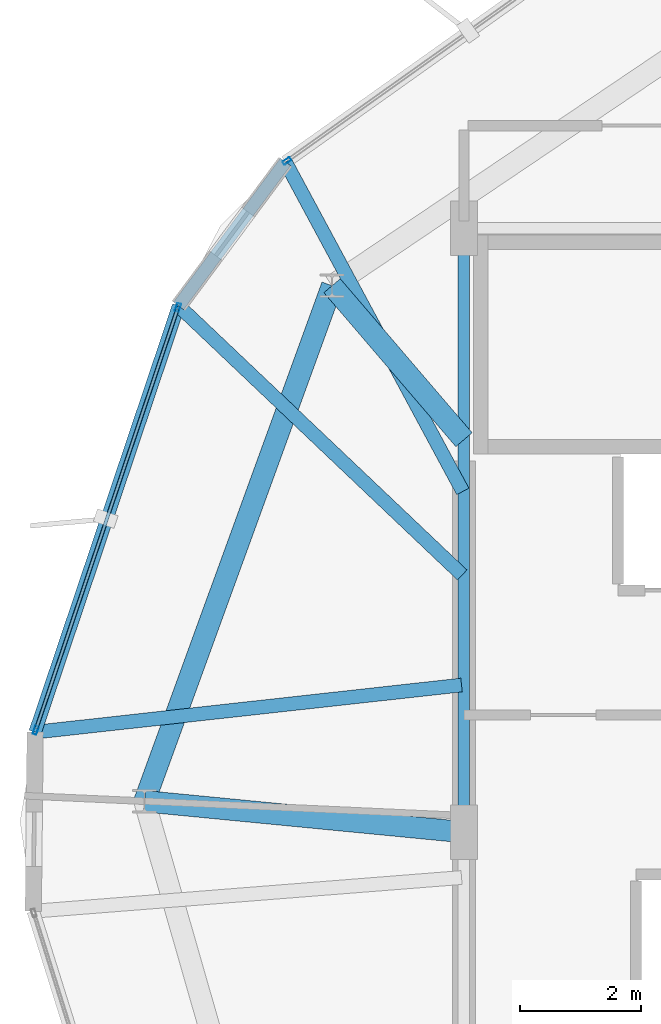
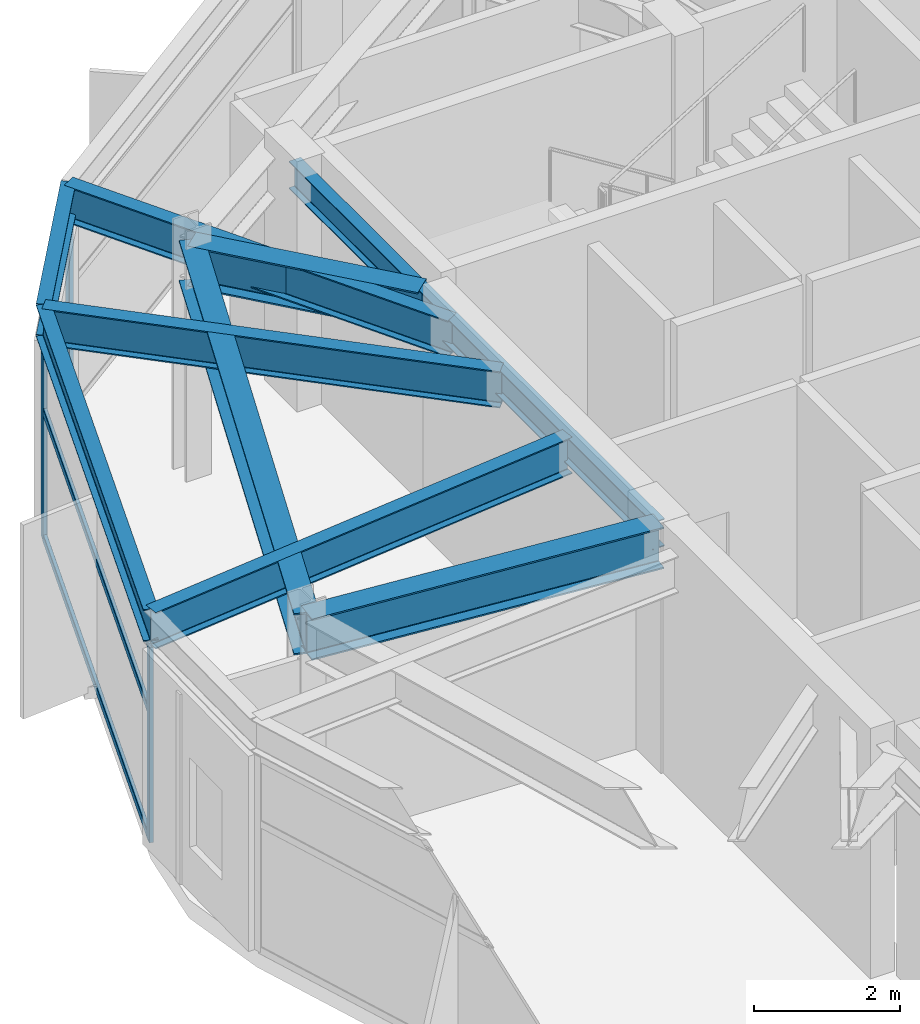
# One storey, part 8 of 19: 9 beams, 6 members, 2 elements without a shape of their own.
"""IFC4 building model written with IfcOpenShell, lengths in metres."""

from ifc_helpers import new_model, si_unit, direction, frame, origin, origin_2d, place, context, subcontext, project, spatial, hollow_rectangle, i_section, extrude, material, layer, layer_set, material_profile, profile_set, type_object, element, aggregate, save


model = new_model("IFC4")

# Units and contexts
model_context = context("Model", 3, precision=1e-05, world=origin(), true_north=direction((0.0, 1.0)))
body_context = subcontext(model_context, "Body", "Model", "MODEL_VIEW")
ifc_project = project(units=[si_unit("LENGTHUNIT", "METRE"), si_unit("AREAUNIT", "SQUARE_METRE"), si_unit("VOLUMEUNIT", "CUBIC_METRE"), si_unit("PLANEANGLEUNIT", "RADIAN"), si_unit("MASSUNIT", "GRAM", prefix="KILO")], contexts=[model_context])

# Site, building, storey
site_placement = place(None, origin())
site = spatial("IfcSite", under=ifc_project, at=site_placement, CompositionType="ELEMENT")
building_placement = place(site_placement, origin())
building = spatial("IfcBuilding", under=site, at=building_placement, Name="Soratama Intermodal Tower", CompositionType="ELEMENT")
storey_placement = place(building_placement, frame((0.0, 0.0, 297.25)))
storey = spatial("IfcBuildingStorey", under=building, at=storey_placement, Name="L75", CompositionType="ELEMENT", Elevation=297.25)

# Beams
ifc_material_1 = material(Name="Structural steel ASTM A992 Grade 50", Category="steel")
ifc_material_profile_1 = material_profile(ifc_material_1, i_section(OverallWidth=0.19091796875, OverallDepth=0.4599609375, WebThickness=0.010009765625, FlangeThickness=0.01611328125, FilletRadius=0.010986328125, at=origin_2d()), Name="W18X55")
ifc_profile_set_1 = profile_set([ifc_material_profile_1], Name="Structural steel ASTM A992 Grade 50")
beam_type_1 = type_object("IfcBeamType", Name="BM-FLR-W18X55", PredefinedType="BEAM", material=ifc_profile_set_1)
beam_1_placement = place(storey_placement, frame((32.60009765625, 35.0, 3.6650390625), z_axis=(0.0, -1.0, 0.0), x_axis=(1.0, 0.0, 0.0)))
element("IfcBeam", 1, at=beam_1_placement, inside=storey, type_object=beam_type_1, Name="BM-L75-CRING-08", PredefinedType="BEAM", context=body_context, shape_type="SweptSolid", body=[
    extrude(i_section(OverallWidth=0.19091796875, OverallDepth=0.4599609375, WebThickness=0.010009765625, FlangeThickness=0.01611328125, FilletRadius=0.010986328125, at=origin_2d()), origin(), (0.0, 0.0, 1.0), 10.0),
])
ifc_material_2 = material(Name="Structural steel ASTM A992 Grade 50", Category="steel")
ifc_material_profile_2 = material_profile(ifc_material_2, i_section(OverallWidth=0.35498046875, OverallDepth=0.695068359375, WebThickness=0.015380859375, FlangeThickness=0.02490234375, FilletRadius=0.01611328125, at=origin_2d()), Name="W27X146")
ifc_profile_set_2 = profile_set([ifc_material_profile_2], Name="Structural steel ASTM A992 Grade 50")
beam_type_2 = type_object("IfcBeamType", Name="BM-RING-W27X146", PredefinedType="BEAM", material=ifc_profile_set_2)
beam_2_placement = place(storey_placement, frame((30.416015625, 34.050048828125, 3.547607421875), z_axis=(-0.341989029925, -0.939703944555, 0.0), x_axis=(0.939703944555, -0.341989029925, 0.0)))
element("IfcBeam", 2, at=beam_2_placement, inside=storey, type_object=beam_type_2, Name="BM-L75-RING-04", PredefinedType="BEAM", context=body_context, shape_type="SweptSolid", body=[
    extrude(i_section(OverallWidth=0.35498046875, OverallDepth=0.695068359375, WebThickness=0.015380859375, FlangeThickness=0.02490234375, FilletRadius=0.01611328125, at=origin_2d()), origin(), (0.0, 0.0, 1.0), 9.0849609375),
])
beam_3_placement = place(storey_placement, frame((32.60009765625, 31.5, 3.547607421875), z_axis=(-0.650503890691, 0.759502921782, 0.0), x_axis=(-0.759502921782, -0.650503890691, 0.0)))
element("IfcBeam", 3, at=beam_3_placement, inside=storey, type_object=beam_type_2, Name="BM-L75-RAD-04", PredefinedType="BEAM", context=body_context, shape_type="SweptSolid", body=[
    extrude(i_section(OverallWidth=0.35498046875, OverallDepth=0.695068359375, WebThickness=0.015380859375, FlangeThickness=0.02490234375, FilletRadius=0.01611328125, at=origin_2d()), origin(), (0.0, 0.0, 1.0), 3.357421875),
])
beam_4_placement = place(storey_placement, frame((32.60009765625, 25.0, 3.547607421875), z_axis=(-0.995333664321, 0.096492987668, 0.0), x_axis=(-0.096492987668, -0.995333664321, 0.0)))
element("IfcBeam", 4, at=beam_4_placement, inside=storey, type_object=beam_type_2, Name="BM-L75-RAD-05", PredefinedType="BEAM", context=body_context, shape_type="SweptSolid", body=[
    extrude(i_section(OverallWidth=0.35498046875, OverallDepth=0.695068359375, WebThickness=0.015380859375, FlangeThickness=0.02490234375, FilletRadius=0.01611328125, at=origin_2d()), origin(), (0.0, 0.0, 1.0), 5.31591796875),
])
ifc_material_3 = material(Name="Structural steel ASTM A992 Grade 50", Category="steel")
ifc_material_profile_3 = material_profile(ifc_material_3, i_section(OverallWidth=0.2099609375, OverallDepth=0.537109375, WebThickness=0.010986328125, FlangeThickness=0.017333984375, FilletRadius=0.012939453125, at=origin_2d()), Name="W21X68")
ifc_profile_set_3 = profile_set([ifc_material_profile_3], Name="Structural steel ASTM A992 Grade 50")
beam_type_3 = type_object("IfcBeamType", Name="BM-SPN-W21X68", PredefinedType="SPANDREL", material=ifc_profile_set_3)
beam_5_placement = place(storey_placement, frame((29.64306640625, 36.09912109375, 3.62646484375), z_axis=(-0.596214921407, -0.80282486726, 0.0), x_axis=(0.80282486726, -0.596214921407, 0.0)))
element("IfcBeam", 5, at=beam_5_placement, inside=storey, type_object=beam_type_3, Name="BS-L75-CRN02", PredefinedType="SPANDREL", context=body_context, shape_type="SweptSolid", body=[
    extrude(i_section(OverallWidth=0.2099609375, OverallDepth=0.537109375, WebThickness=0.010986328125, FlangeThickness=0.017333984375, FilletRadius=0.012939453125, at=origin_2d()), origin(), (0.0, 0.0, 1.0), 2.967041015625),
])
beam_6_placement = place(storey_placement, frame((27.8740234375, 33.717041015625, 3.62646484375), z_axis=(-0.318959833009, -0.947768233761, 0.0), x_axis=(0.947768233761, -0.318959833009, 0.0)))
element("IfcBeam", 6, at=beam_6_placement, inside=storey, type_object=beam_type_3, Name="BS-L75-F03", PredefinedType="SPANDREL", context=body_context, shape_type="SweptSolid", body=[
    extrude(i_section(OverallWidth=0.2099609375, OverallDepth=0.537109375, WebThickness=0.010986328125, FlangeThickness=0.017333984375, FilletRadius=0.012939453125, at=origin_2d()), origin(), (0.0, 0.0, 1.0), 7.44921875),
])
ifc_material_4 = material(Name="Structural steel ASTM A992 Grade 50", Category="steel")
ifc_material_profile_4 = material_profile(ifc_material_4, i_section(OverallWidth=0.22900390625, OverallDepth=0.612060546875, WebThickness=0.011962890625, FlangeThickness=0.01953125, FilletRadius=0.012939453125, at=origin_2d()), Name="W24X84")
ifc_profile_set_4 = profile_set([ifc_material_profile_4], Name="Structural steel ASTM A992 Grade 50")
beam_type_4 = type_object("IfcBeamType", Name="BM-TIE-W24X84", PredefinedType="BEAM", material=ifc_profile_set_4)
beam_7_placement = place(storey_placement, frame((32.5810546875, 30.64306640625, 3.589111328125), z_axis=(-0.474113919458, 0.880463509395, 0.0), x_axis=(-0.880463509395, -0.474113919458, 0.0)))
element("IfcBeam", 7, at=beam_7_placement, inside=storey, type_object=beam_type_4, Name="BM-L75-TIE1-02", PredefinedType="BEAM", context=body_context, shape_type="SweptSolid", body=[
    extrude(i_section(OverallWidth=0.22900390625, OverallDepth=0.612060546875, WebThickness=0.011962890625, FlangeThickness=0.01953125, FilletRadius=0.012939453125, at=origin_2d()), origin(), (0.0, 0.0, 1.0), 6.19677734375),
])
beam_8_placement = place(storey_placement, frame((32.571044921875, 29.260009765625, 3.589111328125), z_axis=(-0.72539563128, 0.688332171353, 0.0), x_axis=(-0.688332171353, -0.72539563128, 0.0)))
element("IfcBeam", 8, at=beam_8_placement, inside=storey, type_object=beam_type_4, Name="BM-L75-TIE0-03", PredefinedType="BEAM", context=body_context, shape_type="SweptSolid", body=[
    extrude(i_section(OverallWidth=0.22900390625, OverallDepth=0.612060546875, WebThickness=0.011962890625, FlangeThickness=0.01953125, FilletRadius=0.012939453125, at=origin_2d()), origin(), (0.0, 0.0, 1.0), 6.47509765625),
])
beam_9_placement = place(storey_placement, frame((32.56005859375, 27.43701171875, 3.589111328125), z_axis=(-0.993955182775, -0.109786586772, 0.0), x_axis=(0.109786586772, -0.993955182775, 0.0)))
element("IfcBeam", 9, at=beam_9_placement, inside=storey, type_object=beam_type_4, Name="BM-L75-TIE1-03", PredefinedType="BEAM", context=body_context, shape_type="SweptSolid", body=[
    extrude(i_section(OverallWidth=0.22900390625, OverallDepth=0.612060546875, WebThickness=0.011962890625, FlangeThickness=0.01953125, FilletRadius=0.012939453125, at=origin_2d()), origin(), (0.0, 0.0, 1.0), 7.10498046875),
])

# Curtain wall, member
ifc_material_5 = material(Name="Double-glazed aluminium curtain wall", Category="aluminium")
ifc_layer = layer(ifc_material_5, 0.159912109375)
ifc_layer_set = layer_set([ifc_layer], Name="Double-glazed aluminium curtain wall")
curtain_wall_type = type_object("IfcCurtainWallType", Name="CW-SYS-6", PredefinedType="NOTDEFINED", material=ifc_layer_set)
curtain_wall_1_placement = place(storey_placement, origin())
curtain_wall_1 = element("IfcCurtainWall", 10, at=curtain_wall_1_placement, inside=storey, type_object=curtain_wall_type, Name="L75 Faceted Curtain Wall F02", PredefinedType="NOTDEFINED")
ifc_material_6 = material(Name="Anodised aluminium AA 6063-T6", Category="aluminium")
ifc_material_profile_5 = material_profile(ifc_material_6, hollow_rectangle(XDim=0.06494140625, YDim=0.139892578125, WallThickness=0.0048828125, InnerFilletRadius=0.0048828125, OuterFilletRadius=0.010009765625, at=origin_2d()), Name="CWM140X65X5")
ifc_profile_set_5 = profile_set([ifc_material_profile_5], Name="Anodised aluminium AA 6063-T6")
member_type_1 = type_object("IfcMemberType", Name="MT-CWM-6", PredefinedType="MULLION", material=ifc_profile_set_5)
member_1_placement = place(storey_placement, frame((29.66748046875, 36.1162109375, 0.0), z_axis=(0.0, 0.0, 1.0), x_axis=(0.579286007364, -0.815124359636, 0.0)))
member_1 = element("IfcMember", 11, at=member_1_placement, type_object=member_type_1, Name="CW-6 mullion 2", PredefinedType="MULLION", context=body_context, shape_type="SweptSolid", body=[
    extrude(hollow_rectangle(XDim=0.06494140625, YDim=0.139892578125, WallThickness=0.0048828125, InnerFilletRadius=0.0048828125, OuterFilletRadius=0.010009765625, at=origin_2d()), origin(), (0.0, 0.0, 1.0), 3.27392578125),
])
aggregate(curtain_wall_1, [member_1])

# Curtain wall, members
curtain_wall_2_placement = place(storey_placement, origin())
curtain_wall_2 = element("IfcCurtainWall", 12, at=curtain_wall_2_placement, inside=storey, type_object=curtain_wall_type, Name="L75 Faceted Curtain Wall F03", PredefinedType="NOTDEFINED")
member_2_placement = place(storey_placement, frame((27.86474609375, 33.68896484375, 0.0), z_axis=(0.0, 0.0, 1.0), x_axis=(0.947767848125, -0.318960978899, 0.0)))
member_2 = element("IfcMember", 13, at=member_2_placement, type_object=member_type_1, Name="CW-6 mullion 1", PredefinedType="MULLION", context=body_context, shape_type="SweptSolid", body=[
    extrude(hollow_rectangle(XDim=0.06494140625, YDim=0.139892578125, WallThickness=0.0048828125, InnerFilletRadius=0.0048828125, OuterFilletRadius=0.010009765625, at=origin_2d()), origin(), (0.0, 0.0, 1.0), 3.27392578125),
])
member_3_placement = place(storey_placement, frame((25.508056640625, 26.685546875, 0.0), z_axis=(0.0, 0.0, 1.0), x_axis=(0.947767848125, -0.318960978899, 0.0)))
member_3 = element("IfcMember", 14, at=member_3_placement, type_object=member_type_1, Name="CW-6 mullion 2", PredefinedType="MULLION", context=body_context, shape_type="SweptSolid", body=[
    extrude(hollow_rectangle(XDim=0.06494140625, YDim=0.139892578125, WallThickness=0.0048828125, InnerFilletRadius=0.0048828125, OuterFilletRadius=0.010009765625, at=origin_2d()), origin(), (0.0, 0.0, 1.0), 3.27392578125),
])
ifc_material_7 = material(Name="Anodised aluminium AA 6063-T6", Category="aluminium")
ifc_material_profile_6 = material_profile(ifc_material_7, hollow_rectangle(XDim=0.06005859375, YDim=0.1298828125, WallThickness=0.0048828125, InnerFilletRadius=0.0048828125, OuterFilletRadius=0.010009765625, at=origin_2d()), Name="CWT130X60X5")
ifc_profile_set_6 = profile_set([ifc_material_profile_6], Name="Anodised aluminium AA 6063-T6")
member_type_2 = type_object("IfcMemberType", Name="TT-CWT-2", PredefinedType="USERDEFINED", material=ifc_profile_set_6)
member_4_placement = place(storey_placement, frame((27.855224609375, 33.660400390625, 0.030029296875), z_axis=(-0.318954644878, -0.947769979747, 0.0), x_axis=(0.947769979747, -0.318954644878, 0.0)))
member_4 = element("IfcMember", 15, at=member_4_placement, type_object=member_type_2, Name="CW-6 transom 1.1", ObjectType="TRANSOM", PredefinedType="USERDEFINED", context=body_context, shape_type="SweptSolid", body=[
    extrude(hollow_rectangle(XDim=0.06005859375, YDim=0.1298828125, WallThickness=0.0048828125, InnerFilletRadius=0.0048828125, OuterFilletRadius=0.010009765625, at=origin_2d()), origin(), (0.0, 0.0, 1.0), 7.3291015625),
])
member_5_placement = place(storey_placement, frame((27.855224609375, 33.660400390625, 2.14990234375), z_axis=(-0.318954644878, -0.947769979747, 0.0), x_axis=(0.947769979747, -0.318954644878, 0.0)))
member_5 = element("IfcMember", 16, at=member_5_placement, type_object=member_type_2, Name="CW-6 transom 1.2", ObjectType="TRANSOM", PredefinedType="USERDEFINED", context=body_context, shape_type="SweptSolid", body=[
    extrude(hollow_rectangle(XDim=0.06005859375, YDim=0.1298828125, WallThickness=0.0048828125, InnerFilletRadius=0.0048828125, OuterFilletRadius=0.010009765625, at=origin_2d()), origin(), (0.0, 0.0, 1.0), 7.3291015625),
])
member_6_placement = place(storey_placement, frame((27.855224609375, 33.660400390625, 3.243896484375), z_axis=(-0.318954644878, -0.947769979747, 0.0), x_axis=(0.947769979747, -0.318954644878, 0.0)))
member_6 = element("IfcMember", 17, at=member_6_placement, type_object=member_type_2, Name="CW-6 transom 1.3", ObjectType="TRANSOM", PredefinedType="USERDEFINED", context=body_context, shape_type="SweptSolid", body=[
    extrude(hollow_rectangle(XDim=0.06005859375, YDim=0.1298828125, WallThickness=0.0048828125, InnerFilletRadius=0.0048828125, OuterFilletRadius=0.010009765625, at=origin_2d()), origin(), (0.0, 0.0, 1.0), 7.3291015625),
])
aggregate(curtain_wall_2, [member_2, member_3, member_4, member_5, member_6])

save(model, "model.ifc")
